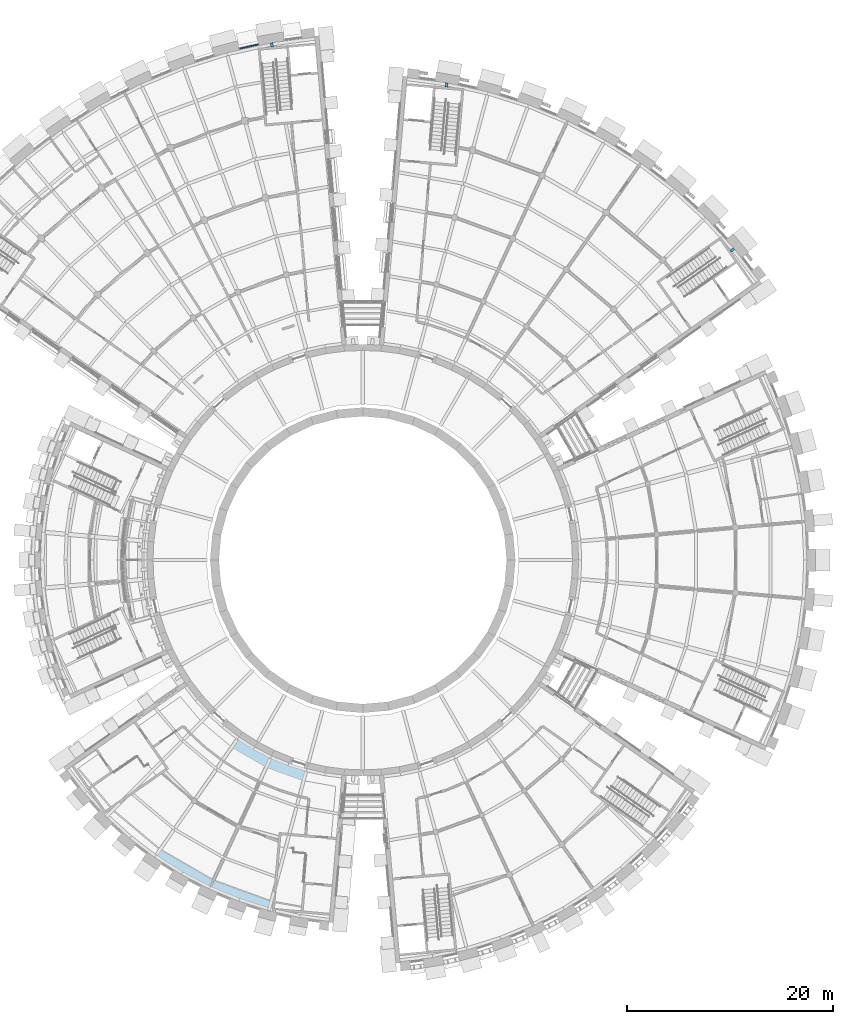
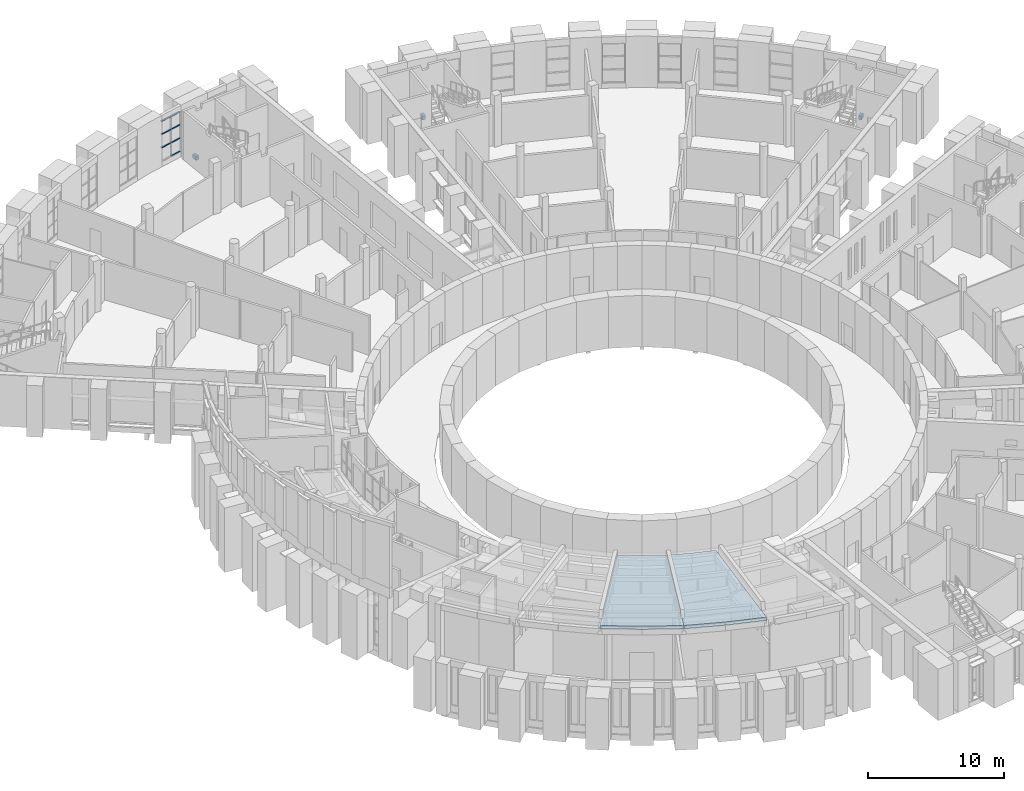
# One storey, part 28 of 66: 7 members, 3 beams, 2 slabs, 1 element without a shape of its own.
"""IFC4 building model written with IfcOpenShell, lengths in metres."""

from ifc_helpers import new_model, si_unit, direction, frame, origin, origin_2d, place, context, subcontext, project, spatial, polyline, rectangle, outline, extrude, material, layer, layer_set, material_profile, profile_set, type_object, element, aggregate, save


model = new_model("IFC4")

# Units and contexts
model_context = context("Model", 3, precision=1e-05, world=origin(), true_north=direction((0.0, 1.0)))
body_context = subcontext(model_context, "Body", "Model", "MODEL_VIEW")
ifc_project = project(units=[si_unit("LENGTHUNIT", "METRE"), si_unit("AREAUNIT", "SQUARE_METRE"), si_unit("VOLUMEUNIT", "CUBIC_METRE"), si_unit("PLANEANGLEUNIT", "RADIAN"), si_unit("MASSUNIT", "GRAM", prefix="KILO")], contexts=[model_context])

# Site, building, storey
site_placement = place(None, origin())
site = spatial("IfcSite", under=ifc_project, at=site_placement, CompositionType="ELEMENT")
building_placement = place(site_placement, origin())
building = spatial("IfcBuilding", under=site, at=building_placement, Name="Volute Hill Aquarium", CompositionType="ELEMENT")
storey_placement = place(building_placement, frame((0.0, 0.0, 4.60009765625)))
storey = spatial("IfcBuildingStorey", under=building, at=storey_placement, Name="L02", CompositionType="ELEMENT", Elevation=4.60009765625)

# Curtain wall, members
ifc_material_1 = material(Name="Aluminium", Category="aluminium")
ifc_layer_1 = layer(ifc_material_1, 0.25)
ifc_layer_set_1 = layer_set([ifc_layer_1], Name="Curtain wall niche S6 module 967")
curtain_wall_type = type_object("IfcCurtainWallType", Name="Curtain wall niche S6 module 967", PredefinedType="NOTDEFINED", material=ifc_layer_set_1)
curtain_wall_placement = place(storey_placement, origin())
curtain_wall = element("IfcCurtainWall", 1, at=curtain_wall_placement, inside=storey, type_object=curtain_wall_type, Name="Curtain wall CW S6 L02 2", PredefinedType="NOTDEFINED")
ifc_material_2 = material(Name="Aluminium", Category="aluminium")
ifc_material_profile_1 = material_profile(ifc_material_2, rectangle(XDim=0.1201171875, YDim=0.050048828125, at=origin_2d()), Name="Curtain wall transom S6 50x120")
ifc_profile_set_1 = profile_set([ifc_material_profile_1], Name="Aluminium")
member_type = type_object("IfcMemberType", Name="Curtain wall transom S6 50x120", PredefinedType="USERDEFINED", material=ifc_profile_set_1)
member_1_placement = place(storey_placement, frame((-10.181396484375, 50.161376953125, 0.474853515625), z_axis=(-0.976283562969, -0.216495738242, 0.0), x_axis=(0.216495738242, -0.976283562969, 0.0)))
member_1 = element("IfcMember", 2, at=member_1_placement, type_object=member_type, Name="CW transom 1.1", ObjectType="TRANSOM", PredefinedType="USERDEFINED", context=body_context, shape_type="SweptSolid", body=[
    extrude(rectangle(XDim=0.1201171875, YDim=0.050048828125, at=origin_2d()), origin(), (0.0, 0.0, 1.0), 0.89208984375),
])
member_2_placement = place(storey_placement, frame((-10.181396484375, 50.161376953125, 1.64990234375), z_axis=(-0.976283562969, -0.216495738242, 0.0), x_axis=(0.216495738242, -0.976283562969, 0.0)))
member_2 = element("IfcMember", 3, at=member_2_placement, type_object=member_type, Name="CW transom 1.2", ObjectType="TRANSOM", PredefinedType="USERDEFINED", context=body_context, shape_type="SweptSolid", body=[
    extrude(rectangle(XDim=0.1201171875, YDim=0.050048828125, at=origin_2d()), origin(), (0.0, 0.0, 1.0), 0.89208984375),
])
member_3_placement = place(storey_placement, frame((-10.181396484375, 50.161376953125, 2.849853515625), z_axis=(-0.976283562969, -0.216495738242, 0.0), x_axis=(0.216495738242, -0.976283562969, 0.0)))
member_3 = element("IfcMember", 4, at=member_3_placement, type_object=member_type, Name="CW transom 1.3", ObjectType="TRANSOM", PredefinedType="USERDEFINED", context=body_context, shape_type="SweptSolid", body=[
    extrude(rectangle(XDim=0.1201171875, YDim=0.050048828125, at=origin_2d()), origin(), (0.0, 0.0, 1.0), 0.89208984375),
])
member_4_placement = place(storey_placement, frame((-10.181396484375, 50.161376953125, 4.02490234375), z_axis=(-0.976283562969, -0.216495738242, 0.0), x_axis=(0.216495738242, -0.976283562969, 0.0)))
member_4 = element("IfcMember", 5, at=member_4_placement, type_object=member_type, Name="CW transom 1.4", ObjectType="TRANSOM", PredefinedType="USERDEFINED", context=body_context, shape_type="SweptSolid", body=[
    extrude(rectangle(XDim=0.1201171875, YDim=0.050048828125, at=origin_2d()), origin(), (0.0, 0.0, 1.0), 0.89208984375),
])
member_5_placement = place(storey_placement, frame((-11.10107421875, 49.95751953125, 1.64990234375), z_axis=(-0.976270729453, -0.216553602635, 0.0), x_axis=(0.216553602635, -0.976270729453, 0.0)))
member_5 = element("IfcMember", 6, at=member_5_placement, type_object=member_type, Name="CW transom 2.2", ObjectType="TRANSOM", PredefinedType="USERDEFINED", context=body_context, shape_type="SweptSolid", body=[
    extrude(rectangle(XDim=0.1201171875, YDim=0.050048828125, at=origin_2d()), origin(), (0.0, 0.0, 1.0), 0.891845703125),
])
member_6_placement = place(storey_placement, frame((-11.10107421875, 49.95751953125, 2.849853515625), z_axis=(-0.976270729453, -0.216553602635, 0.0), x_axis=(0.216553602635, -0.976270729453, 0.0)))
member_6 = element("IfcMember", 7, at=member_6_placement, type_object=member_type, Name="CW transom 2.3", ObjectType="TRANSOM", PredefinedType="USERDEFINED", context=body_context, shape_type="SweptSolid", body=[
    extrude(rectangle(XDim=0.1201171875, YDim=0.050048828125, at=origin_2d()), origin(), (0.0, 0.0, 1.0), 0.891845703125),
])
member_7_placement = place(storey_placement, frame((-11.10107421875, 49.95751953125, 4.02490234375), z_axis=(-0.976270729453, -0.216553602635, 0.0), x_axis=(0.216553602635, -0.976270729453, 0.0)))
member_7 = element("IfcMember", 8, at=member_7_placement, type_object=member_type, Name="CW transom 2.4", ObjectType="TRANSOM", PredefinedType="USERDEFINED", context=body_context, shape_type="SweptSolid", body=[
    extrude(rectangle(XDim=0.1201171875, YDim=0.050048828125, at=origin_2d()), origin(), (0.0, 0.0, 1.0), 0.891845703125),
])
aggregate(curtain_wall, [member_1, member_2, member_3, member_4, member_5, member_6, member_7])

# Beams
ifc_material_3 = material(Name="Concrete C35/45", Category="concrete")
ifc_material_profile_2 = material_profile(ifc_material_3, rectangle(XDim=0.25, YDim=0.35009765625, at=origin_2d()), Name="RC joist 250x350")
ifc_profile_set_2 = profile_set([ifc_material_profile_2], Name="Concrete C35/45")
beam_type = type_object("IfcBeamType", Name="Joist 250x350 C35/45", PredefinedType="BEAM", material=ifc_profile_set_2)
for number, where, z_axis, x_axis, name in (
    (9, (35.795654296875, 30.035888671875, -0.465087890625), (0.765750437308, 0.643137829522, 0.0), (-0.643137829522, 0.765750437308, 0.0), "bm/S5/L02/rjst1"),
    (10, (8.1142578125, 46.017822265625, -0.465087890625), (0.173488416305, 0.98483590989, 0.0), (-0.98483590989, 0.173488416305, 0.0), "bm/S5/L02/rjst5"),
):
    element("IfcBeam", number, at=place(storey_placement, frame(where, z_axis=z_axis, x_axis=x_axis)), inside=storey, type_object=beam_type, Name=name, PredefinedType="BEAM", context=body_context, shape_type="SweptSolid", body=[
        extrude(rectangle(XDim=0.25, YDim=0.35009765625, at=origin_2d()), origin(), (0.0, 0.0, 1.0), 0.422119140625),
    ])
beam_placement = place(storey_placement, frame((-8.802734375, 49.922607421875, -0.4951171875), z_axis=(-0.173238167198, 0.984879960922, 0.0), x_axis=(-0.984879960922, -0.173238167198, 0.0)))
element("IfcBeam", 11, at=beam_placement, inside=storey, type_object=beam_type, Name="bm/S6/L02/rjst6", PredefinedType="BEAM", context=body_context, shape_type="SweptSolid", body=[
    extrude(rectangle(XDim=0.25, YDim=0.35009765625, at=origin_2d()), origin(), (0.0, 0.0, 1.0), 0.4072265625),
])

# Slabs
ifc_material_4 = material(Name="Concrete C30/37", Category="concrete")
ifc_layer_2 = layer(ifc_material_4, 0.25)
ifc_layer_set_2 = layer_set([ifc_layer_2], Name="Roof slab 250 C30/37")
slab_type = type_object("IfcSlabType", Name="Roof slab 250 C30/37", PredefinedType="ROOF", material=ifc_layer_set_2)
slab_1_placement = place(storey_placement, frame((-20.247314453125, -28.916015625, 9.476318359375), z_axis=(0.12494116974, 0.216401413281, 0.968276888309), x_axis=(0.84334107402, -0.537260833958, 0.011252962477)))
element("IfcSlab", 12, at=slab_1_placement, inside=storey, type_object=slab_type, Name="rf/S2/L02/3", PredefinedType="ROOF", context=body_context, shape_type="SweptSolid", body=[
    extrude(outline(polyline([(0.0, 0.0), (3.0799429411088655, 1.8388068845354155e-16), (6.147013342818916, 0.2771030547192965), (4.239326627409416, 14.91840670879953), (2.4146365696616385, 14.75351705951331), (0.5824349481270501, 14.753557054078296), (0.0, 0.0)])), origin(), (0.0, 0.0, -1.0), 0.25),
])
slab_2_placement = place(storey_placement, frame((-14.91845703125, -31.99267578125, 9.476318359375), z_axis=(0.085462546059, 0.234810674907, 0.968276871649), x_axis=(0.923834941808, -0.382625769247, 0.01124815553)))
element("IfcSlab", 13, at=slab_2_placement, inside=storey, type_object=slab_type, Name="rf/S2/L02/4", PredefinedType="ROOF", context=body_context, shape_type="SweptSolid", body=[
    extrude(outline(polyline([(0.0, 0.0), (3.079807858865954, -1.717376241217039e-16), (6.147055882004039, 0.27701149941012315), (4.239636390314021, 14.91829800047997), (2.4150286970649955, 14.753613338423165), (0.5828943395740864, 14.753551283817256), (0.0, 0.0)])), origin(), (0.0, 0.0, -1.0), 0.25),
])

save(model, "model.ifc")
